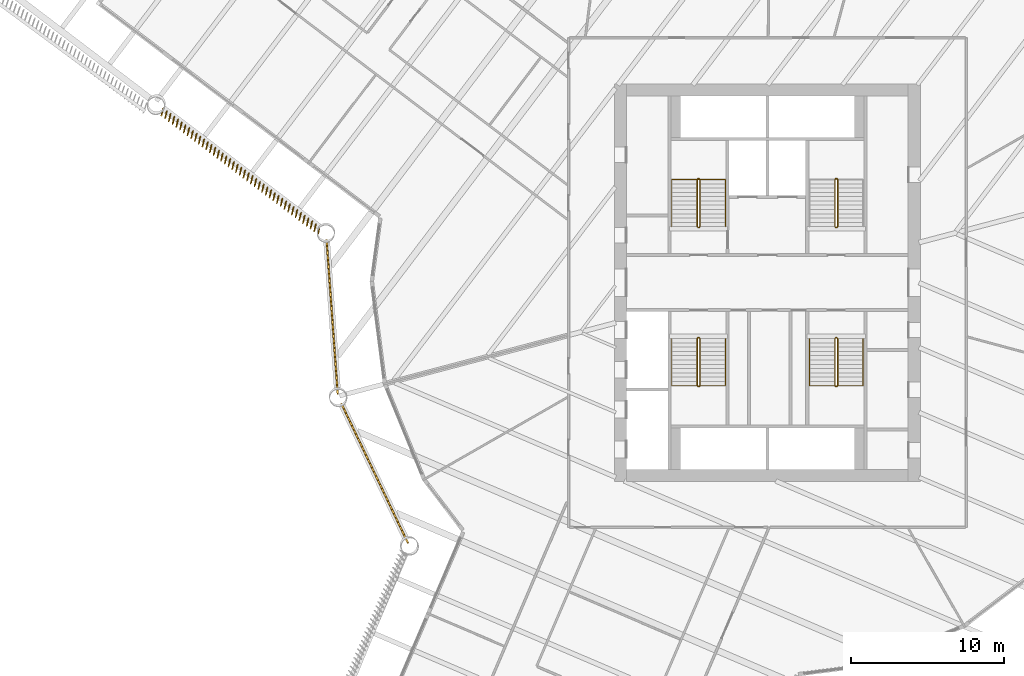
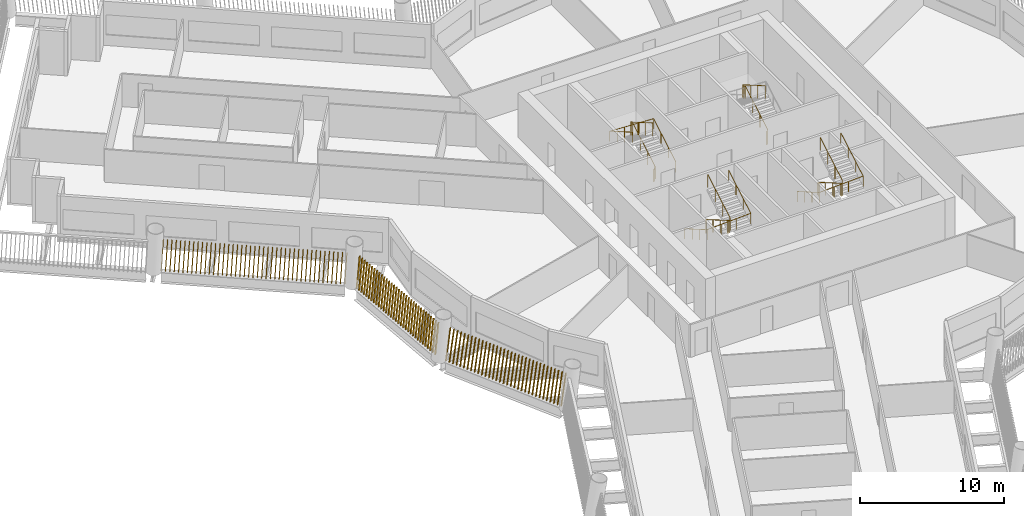
# One storey, part 12 of 16: 7 railings, 3 shading devices.
"""IFC4 building model written with IfcOpenShell, lengths in metres."""

from ifc_helpers import new_model, si_unit, direction, frame, frame_2d, origin, origin_2d, place, context, subcontext, project, spatial, rectangle, circle, composite_profile, extrude, material, type_object, element, save


model = new_model("IFC4")

# Units and contexts
model_context = context("Model", 3, precision=1e-05, world=origin(), true_north=direction((0.0, 1.0)))
body_context = subcontext(model_context, "Body", "Model", "MODEL_VIEW")
ifc_project = project(units=[si_unit("LENGTHUNIT", "METRE"), si_unit("AREAUNIT", "SQUARE_METRE"), si_unit("VOLUMEUNIT", "CUBIC_METRE"), si_unit("PLANEANGLEUNIT", "RADIAN"), si_unit("MASSUNIT", "GRAM", prefix="KILO")], contexts=[model_context])

# Site, building, storey
site_placement = place(None, origin())
site = spatial("IfcSite", under=ifc_project, at=site_placement, CompositionType="ELEMENT")
building_placement = place(site_placement, origin())
building = spatial("IfcBuilding", under=site, at=building_placement, Name="Tarsis Ring Headquarters", CompositionType="ELEMENT")
storey_placement = place(building_placement, frame((0.0, 0.0, 120.10009765625)))
storey = spatial("IfcBuildingStorey", under=building, at=storey_placement, Name="L27", CompositionType="ELEMENT", Elevation=120.10009765625)

# Railings
ifc_material_1 = material(Name="Steel S355", Category="steel")
railing_type_1 = type_object("IfcRailingType", Name="Core stair guard 1100", PredefinedType="GUARDRAIL", material=ifc_material_1)
railing_1_placement = place(storey_placement, frame((-4.5400390625, 3.610107421875, 0.0)))
element("IfcRailing", 1, at=railing_1_placement, inside=storey, type_object=railing_type_1, Name="L27 ST1 stair guard 1", PredefinedType="GUARDRAIL", context=body_context, shape_type="SweptSolid", body=[
    extrude(circle(Radius=0.02392578125, at=origin_2d()), frame((0.0, 0.0, 1.076171875), z_axis=(1.0, 0.0, 0.0), x_axis=(0.0, 1.0, 0.0)), (0.0, 0.0, 1.0), 0.080078125),
    extrude(circle(Radius=0.02392578125, at=origin_2d()), frame((0.080078125, 0.0, 1.076171875), z_axis=(0.282693820306, 0.281314826061, 0.917031173188), x_axis=(-0.705375805398, 0.708833529934, 0.0)), (0.0, 0.0, 1.0), 0.177001953125),
    extrude(circle(Radius=0.02392578125, at=origin_2d()), frame((0.130126953125, 0.0498046875, 1.23828125), z_axis=(0.0, 0.864890721111, 0.501960198159), x_axis=(-1.0, 0.0, 0.0)), (0.0, 0.0, 1.0), 3.561279296875),
    extrude(circle(Radius=0.02392578125, at=origin_2d()), frame((0.130126953125, 3.1298828125, 3.02587890625), z_axis=(-0.707106781187, 0.707106781187, 0.0), x_axis=(-0.707106781187, -0.707106781187, 0.0)), (0.0, 0.0, 1.0), 0.07080078125),
    extrude(circle(Radius=0.02392578125, at=origin_2d()), frame((0.080078125, 3.179931640625, 3.02587890625), z_axis=(-1.0, 0.0, 0.0), x_axis=(0.0, -1.0, 0.0)), (0.0, 0.0, 1.0), 0.080078125),
    extrude(circle(Radius=0.02392578125, at=origin_2d()), frame((0.0, 3.179931640625, 3.02587890625), z_axis=(-0.282583949758, -0.282583949758, 0.916674763849), x_axis=(0.707106781187, -0.707106781187, 0.0)), (0.0, 0.0, 1.0), 0.177001953125),
    extrude(circle(Radius=0.02392578125, at=origin_2d()), frame((-0.050048828125, 3.1298828125, 3.1884765625), z_axis=(0.0, -0.864890721111, 0.501960198159), x_axis=(1.0, 0.0, 0.0)), (0.0, 0.0, 1.0), 3.561279296875),
    extrude(circle(Radius=0.02099609375, at=origin_2d()), origin(), (0.0, 0.0, 1.0), 1.052001953125),
    extrude(circle(Radius=0.02099609375, at=origin_2d()), frame((0.080078125, 0.0, 0.0)), (0.0, 0.0, 1.0), 1.052001953125),
    extrude(circle(Radius=0.02099609375, at=origin_2d()), frame((0.130126953125, 0.0498046875, 0.162353515625)), (0.0, 0.0, 1.0), 1.052001953125),
    extrude(circle(Radius=0.02099609375, at=origin_2d()), frame((0.130126953125, 1.076416015625, 0.75830078125)), (0.0, 0.0, 1.0), 1.052001953125),
    extrude(circle(Radius=0.02099609375, at=origin_2d()), frame((0.130126953125, 2.103271484375, 1.35400390625)), (0.0, 0.0, 1.0), 1.052001953125),
    extrude(circle(Radius=0.02099609375, at=origin_2d()), frame((0.130126953125, 3.1298828125, 1.949951171875)), (0.0, 0.0, 1.0), 1.052001953125),
    extrude(circle(Radius=0.02099609375, at=origin_2d()), frame((0.080078125, 3.179931640625, 1.949951171875)), (0.0, 0.0, 1.0), 1.052001953125),
    extrude(circle(Radius=0.02099609375, at=origin_2d()), frame((0.0, 3.179931640625, 1.949951171875)), (0.0, 0.0, 1.0), 1.052001953125),
    extrude(circle(Radius=0.02099609375, at=origin_2d()), frame((-0.050048828125, 3.1298828125, 2.1123046875)), (0.0, 0.0, 1.0), 1.052001953125),
    extrude(circle(Radius=0.02099609375, at=origin_2d()), frame((-0.050048828125, 2.103271484375, 2.708251953125)), (0.0, 0.0, 1.0), 1.052001953125),
    extrude(circle(Radius=0.02099609375, at=origin_2d()), frame((-0.050048828125, 1.076416015625, 3.303955078125)), (0.0, 0.0, 1.0), 1.052001953125),
    extrude(circle(Radius=0.02099609375, at=origin_2d()), frame((-0.050048828125, 0.0498046875, 3.89990234375)), (0.0, 0.0, 1.0), 1.052001953125),
])
railing_2_placement = place(storey_placement, frame((4.4599609375, 3.610107421875, 0.0)))
element("IfcRailing", 2, at=railing_2_placement, inside=storey, type_object=railing_type_1, Name="L27 ST2 stair guard 1", PredefinedType="GUARDRAIL", context=body_context, shape_type="SweptSolid", body=[
    extrude(circle(Radius=0.02392578125, at=origin_2d()), frame((0.0, 0.0, 1.076171875), z_axis=(1.0, 0.0, 0.0), x_axis=(0.0, 1.0, 0.0)), (0.0, 0.0, 1.0), 0.080078125),
    extrude(circle(Radius=0.02392578125, at=origin_2d()), frame((0.080078125, 0.0, 1.076171875), z_axis=(0.282693820306, 0.281314826061, 0.917031173188), x_axis=(-0.705375805398, 0.708833529934, 0.0)), (0.0, 0.0, 1.0), 0.177001953125),
    extrude(circle(Radius=0.02392578125, at=origin_2d()), frame((0.130126953125, 0.0498046875, 1.23828125), z_axis=(0.0, 0.864890721111, 0.501960198159), x_axis=(-1.0, 0.0, 0.0)), (0.0, 0.0, 1.0), 3.561279296875),
    extrude(circle(Radius=0.02392578125, at=origin_2d()), frame((0.130126953125, 3.1298828125, 3.02587890625), z_axis=(-0.707106781187, 0.707106781187, 0.0), x_axis=(-0.707106781187, -0.707106781187, 0.0)), (0.0, 0.0, 1.0), 0.07080078125),
    extrude(circle(Radius=0.02392578125, at=origin_2d()), frame((0.080078125, 3.179931640625, 3.02587890625), z_axis=(-1.0, 0.0, 0.0), x_axis=(0.0, -1.0, 0.0)), (0.0, 0.0, 1.0), 0.080078125),
    extrude(circle(Radius=0.02392578125, at=origin_2d()), frame((0.0, 3.179931640625, 3.02587890625), z_axis=(-0.282583949758, -0.282583949758, 0.916674763849), x_axis=(0.707106781187, -0.707106781187, 0.0)), (0.0, 0.0, 1.0), 0.177001953125),
    extrude(circle(Radius=0.02392578125, at=origin_2d()), frame((-0.050048828125, 3.1298828125, 3.1884765625), z_axis=(0.0, -0.864890721111, 0.501960198159), x_axis=(1.0, 0.0, 0.0)), (0.0, 0.0, 1.0), 3.561279296875),
    extrude(circle(Radius=0.02099609375, at=origin_2d()), origin(), (0.0, 0.0, 1.0), 1.052001953125),
    extrude(circle(Radius=0.02099609375, at=origin_2d()), frame((0.080078125, 0.0, 0.0)), (0.0, 0.0, 1.0), 1.052001953125),
    extrude(circle(Radius=0.02099609375, at=origin_2d()), frame((0.130126953125, 0.0498046875, 0.162353515625)), (0.0, 0.0, 1.0), 1.052001953125),
    extrude(circle(Radius=0.02099609375, at=origin_2d()), frame((0.130126953125, 1.076416015625, 0.75830078125)), (0.0, 0.0, 1.0), 1.052001953125),
    extrude(circle(Radius=0.02099609375, at=origin_2d()), frame((0.130126953125, 2.103271484375, 1.35400390625)), (0.0, 0.0, 1.0), 1.052001953125),
    extrude(circle(Radius=0.02099609375, at=origin_2d()), frame((0.130126953125, 3.1298828125, 1.949951171875)), (0.0, 0.0, 1.0), 1.052001953125),
    extrude(circle(Radius=0.02099609375, at=origin_2d()), frame((0.080078125, 3.179931640625, 1.949951171875)), (0.0, 0.0, 1.0), 1.052001953125),
    extrude(circle(Radius=0.02099609375, at=origin_2d()), frame((0.0, 3.179931640625, 1.949951171875)), (0.0, 0.0, 1.0), 1.052001953125),
    extrude(circle(Radius=0.02099609375, at=origin_2d()), frame((-0.050048828125, 3.1298828125, 2.1123046875)), (0.0, 0.0, 1.0), 1.052001953125),
    extrude(circle(Radius=0.02099609375, at=origin_2d()), frame((-0.050048828125, 2.103271484375, 2.708251953125)), (0.0, 0.0, 1.0), 1.052001953125),
    extrude(circle(Radius=0.02099609375, at=origin_2d()), frame((-0.050048828125, 1.076416015625, 3.303955078125)), (0.0, 0.0, 1.0), 1.052001953125),
    extrude(circle(Radius=0.02099609375, at=origin_2d()), frame((-0.050048828125, 0.0498046875, 3.89990234375)), (0.0, 0.0, 1.0), 1.052001953125),
])
railing_3_placement = place(storey_placement, frame((-4.4599609375, -3.610107421875, 0.0)))
element("IfcRailing", 3, at=railing_3_placement, inside=storey, type_object=railing_type_1, Name="L27 ST3 stair guard 1", PredefinedType="GUARDRAIL", context=body_context, shape_type="SweptSolid", body=[
    extrude(circle(Radius=0.02392578125, at=origin_2d()), frame((0.0, 0.0, 1.076171875), z_axis=(-1.0, 0.0, 0.0), x_axis=(0.0, -1.0, 0.0)), (0.0, 0.0, 1.0), 0.080078125),
    extrude(circle(Radius=0.02392578125, at=origin_2d()), frame((-0.080078125, 0.0, 1.076171875), z_axis=(-0.282693820306, -0.281314826061, 0.917031173188), x_axis=(0.705375805398, -0.708833529934, 0.0)), (0.0, 0.0, 1.0), 0.177001953125),
    extrude(circle(Radius=0.02392578125, at=origin_2d()), frame((-0.130126953125, -0.0498046875, 1.23828125), z_axis=(0.0, -0.864890721111, 0.501960198159), x_axis=(1.0, 0.0, 0.0)), (0.0, 0.0, 1.0), 3.561279296875),
    extrude(circle(Radius=0.02392578125, at=origin_2d()), frame((-0.130126953125, -3.1298828125, 3.02587890625), z_axis=(0.707106781187, -0.707106781187, 0.0), x_axis=(0.707106781187, 0.707106781187, 0.0)), (0.0, 0.0, 1.0), 0.07080078125),
    extrude(circle(Radius=0.02392578125, at=origin_2d()), frame((-0.080078125, -3.179931640625, 3.02587890625), z_axis=(1.0, 0.0, 0.0), x_axis=(0.0, 1.0, 0.0)), (0.0, 0.0, 1.0), 0.080078125),
    extrude(circle(Radius=0.02392578125, at=origin_2d()), frame((0.0, -3.179931640625, 3.02587890625), z_axis=(0.282583949758, 0.282583949758, 0.916674763849), x_axis=(-0.707106781187, 0.707106781187, 0.0)), (0.0, 0.0, 1.0), 0.177001953125),
    extrude(circle(Radius=0.02392578125, at=origin_2d()), frame((0.050048828125, -3.1298828125, 3.1884765625), z_axis=(0.0, 0.864890721111, 0.501960198159), x_axis=(-1.0, 0.0, 0.0)), (0.0, 0.0, 1.0), 3.561279296875),
    extrude(circle(Radius=0.02099609375, at=origin_2d()), origin(), (0.0, 0.0, 1.0), 1.052001953125),
    extrude(circle(Radius=0.02099609375, at=origin_2d()), frame((-0.080078125, 0.0, 0.0)), (0.0, 0.0, 1.0), 1.052001953125),
    extrude(circle(Radius=0.02099609375, at=origin_2d()), frame((-0.130126953125, -0.0498046875, 0.162353515625)), (0.0, 0.0, 1.0), 1.052001953125),
    extrude(circle(Radius=0.02099609375, at=origin_2d()), frame((-0.130126953125, -1.076416015625, 0.75830078125)), (0.0, 0.0, 1.0), 1.052001953125),
    extrude(circle(Radius=0.02099609375, at=origin_2d()), frame((-0.130126953125, -2.103271484375, 1.35400390625)), (0.0, 0.0, 1.0), 1.052001953125),
    extrude(circle(Radius=0.02099609375, at=origin_2d()), frame((-0.130126953125, -3.1298828125, 1.949951171875)), (0.0, 0.0, 1.0), 1.052001953125),
    extrude(circle(Radius=0.02099609375, at=origin_2d()), frame((-0.080078125, -3.179931640625, 1.949951171875)), (0.0, 0.0, 1.0), 1.052001953125),
    extrude(circle(Radius=0.02099609375, at=origin_2d()), frame((0.0, -3.179931640625, 1.949951171875)), (0.0, 0.0, 1.0), 1.052001953125),
    extrude(circle(Radius=0.02099609375, at=origin_2d()), frame((0.050048828125, -3.1298828125, 2.1123046875)), (0.0, 0.0, 1.0), 1.052001953125),
    extrude(circle(Radius=0.02099609375, at=origin_2d()), frame((0.050048828125, -2.103271484375, 2.708251953125)), (0.0, 0.0, 1.0), 1.052001953125),
    extrude(circle(Radius=0.02099609375, at=origin_2d()), frame((0.050048828125, -1.076416015625, 3.303955078125)), (0.0, 0.0, 1.0), 1.052001953125),
    extrude(circle(Radius=0.02099609375, at=origin_2d()), frame((0.050048828125, -0.0498046875, 3.89990234375)), (0.0, 0.0, 1.0), 1.052001953125),
])
railing_4_placement = place(storey_placement, frame((4.5400390625, -3.610107421875, 0.0)))
element("IfcRailing", 4, at=railing_4_placement, inside=storey, type_object=railing_type_1, Name="L27 ST4 stair guard 1", PredefinedType="GUARDRAIL", context=body_context, shape_type="SweptSolid", body=[
    extrude(circle(Radius=0.02392578125, at=origin_2d()), frame((0.0, 0.0, 1.076171875), z_axis=(-1.0, 0.0, 0.0), x_axis=(0.0, -1.0, 0.0)), (0.0, 0.0, 1.0), 0.080078125),
    extrude(circle(Radius=0.02392578125, at=origin_2d()), frame((-0.080078125, 0.0, 1.076171875), z_axis=(-0.282693820306, -0.281314826061, 0.917031173188), x_axis=(0.705375805398, -0.708833529934, 0.0)), (0.0, 0.0, 1.0), 0.177001953125),
    extrude(circle(Radius=0.02392578125, at=origin_2d()), frame((-0.130126953125, -0.0498046875, 1.23828125), z_axis=(0.0, -0.864890721111, 0.501960198159), x_axis=(1.0, 0.0, 0.0)), (0.0, 0.0, 1.0), 3.561279296875),
    extrude(circle(Radius=0.02392578125, at=origin_2d()), frame((-0.130126953125, -3.1298828125, 3.02587890625), z_axis=(0.707106781187, -0.707106781187, 0.0), x_axis=(0.707106781187, 0.707106781187, 0.0)), (0.0, 0.0, 1.0), 0.07080078125),
    extrude(circle(Radius=0.02392578125, at=origin_2d()), frame((-0.080078125, -3.179931640625, 3.02587890625), z_axis=(1.0, 0.0, 0.0), x_axis=(0.0, 1.0, 0.0)), (0.0, 0.0, 1.0), 0.080078125),
    extrude(circle(Radius=0.02392578125, at=origin_2d()), frame((0.0, -3.179931640625, 3.02587890625), z_axis=(0.282583949758, 0.282583949758, 0.916674763849), x_axis=(-0.707106781187, 0.707106781187, 0.0)), (0.0, 0.0, 1.0), 0.177001953125),
    extrude(circle(Radius=0.02392578125, at=origin_2d()), frame((0.050048828125, -3.1298828125, 3.1884765625), z_axis=(0.0, 0.864890721111, 0.501960198159), x_axis=(-1.0, 0.0, 0.0)), (0.0, 0.0, 1.0), 3.561279296875),
    extrude(circle(Radius=0.02099609375, at=origin_2d()), origin(), (0.0, 0.0, 1.0), 1.052001953125),
    extrude(circle(Radius=0.02099609375, at=origin_2d()), frame((-0.080078125, 0.0, 0.0)), (0.0, 0.0, 1.0), 1.052001953125),
    extrude(circle(Radius=0.02099609375, at=origin_2d()), frame((-0.130126953125, -0.0498046875, 0.162353515625)), (0.0, 0.0, 1.0), 1.052001953125),
    extrude(circle(Radius=0.02099609375, at=origin_2d()), frame((-0.130126953125, -1.076416015625, 0.75830078125)), (0.0, 0.0, 1.0), 1.052001953125),
    extrude(circle(Radius=0.02099609375, at=origin_2d()), frame((-0.130126953125, -2.103271484375, 1.35400390625)), (0.0, 0.0, 1.0), 1.052001953125),
    extrude(circle(Radius=0.02099609375, at=origin_2d()), frame((-0.130126953125, -3.1298828125, 1.949951171875)), (0.0, 0.0, 1.0), 1.052001953125),
    extrude(circle(Radius=0.02099609375, at=origin_2d()), frame((-0.080078125, -3.179931640625, 1.949951171875)), (0.0, 0.0, 1.0), 1.052001953125),
    extrude(circle(Radius=0.02099609375, at=origin_2d()), frame((0.0, -3.179931640625, 1.949951171875)), (0.0, 0.0, 1.0), 1.052001953125),
    extrude(circle(Radius=0.02099609375, at=origin_2d()), frame((0.050048828125, -3.1298828125, 2.1123046875)), (0.0, 0.0, 1.0), 1.052001953125),
    extrude(circle(Radius=0.02099609375, at=origin_2d()), frame((0.050048828125, -2.103271484375, 2.708251953125)), (0.0, 0.0, 1.0), 1.052001953125),
    extrude(circle(Radius=0.02099609375, at=origin_2d()), frame((0.050048828125, -1.076416015625, 3.303955078125)), (0.0, 0.0, 1.0), 1.052001953125),
    extrude(circle(Radius=0.02099609375, at=origin_2d()), frame((0.050048828125, -0.0498046875, 3.89990234375)), (0.0, 0.0, 1.0), 1.052001953125),
])
railing_type_2 = type_object("IfcRailingType", Name="Core stair handrail 900", PredefinedType="HANDRAIL", material=ifc_material_1)
railing_5_placement = place(storey_placement, frame((-2.75, 3.659912109375, 0.162353515625)))
element("IfcRailing", 5, at=railing_5_placement, inside=storey, type_object=railing_type_2, Name="L27 ST1 stair handrail 1", PredefinedType="HANDRAIL", context=body_context, shape_type="SweptSolid", body=[
    extrude(circle(Radius=0.02392578125, at=origin_2d()), frame((0.0, 0.0, 0.8759765625), z_axis=(0.0, 0.864890721111, 0.501960198159), x_axis=(-1.0, 0.0, 0.0)), (0.0, 0.0, 1.0), 3.561279296875),
    extrude(circle(Radius=0.02392578125, at=origin_2d()), frame((0.0, 3.080078125, 2.66357421875), z_axis=(-0.998925869279, 0.0, 0.04633689335), x_axis=(0.0, -1.0, 0.0)), (0.0, 0.0, 1.0), 3.503662109375),
    extrude(circle(Radius=0.02392578125, at=origin_2d()), frame((-3.5, 3.080078125, 2.82568359375), z_axis=(0.0, -0.864890721111, 0.501960198159), x_axis=(1.0, 0.0, 0.0)), (0.0, 0.0, 1.0), 3.561279296875),
    extrude(circle(Radius=0.02099609375, at=origin_2d()), origin(), (0.0, 0.0, 1.0), 0.851806640625),
    extrude(circle(Radius=0.02099609375, at=origin_2d()), frame((0.0, 1.026611328125, 0.595947265625)), (0.0, 0.0, 1.0), 0.851806640625),
    extrude(circle(Radius=0.02099609375, at=origin_2d()), frame((0.0, 2.053466796875, 1.191650390625)), (0.0, 0.0, 1.0), 0.851806640625),
    extrude(circle(Radius=0.02099609375, at=origin_2d()), frame((0.0, 3.080078125, 1.78759765625)), (0.0, 0.0, 1.0), 0.851806640625),
    extrude(circle(Radius=0.02099609375, at=origin_2d()), frame((-1.166748046875, 3.080078125, 1.841796875)), (0.0, 0.0, 1.0), 0.851806640625),
    extrude(circle(Radius=0.02099609375, at=origin_2d()), frame((-2.333251953125, 3.080078125, 1.895751953125)), (0.0, 0.0, 1.0), 0.851806640625),
    extrude(circle(Radius=0.02099609375, at=origin_2d()), frame((-3.5, 3.080078125, 1.949951171875)), (0.0, 0.0, 1.0), 0.851806640625),
    extrude(circle(Radius=0.02099609375, at=origin_2d()), frame((-3.5, 2.053466796875, 2.5458984375)), (0.0, 0.0, 1.0), 0.851806640625),
    extrude(circle(Radius=0.02099609375, at=origin_2d()), frame((-3.5, 1.026611328125, 3.1416015625)), (0.0, 0.0, 1.0), 0.851806640625),
    extrude(circle(Radius=0.02099609375, at=origin_2d()), frame((-3.5, 0.0, 3.737548828125)), (0.0, 0.0, 1.0), 0.851806640625),
])
railing_6_placement = place(storey_placement, frame((-6.25, -3.659912109375, 0.162353515625)))
element("IfcRailing", 6, at=railing_6_placement, inside=storey, type_object=railing_type_2, Name="L27 ST3 stair handrail 1", PredefinedType="HANDRAIL", context=body_context, shape_type="SweptSolid", body=[
    extrude(circle(Radius=0.02392578125, at=origin_2d()), frame((0.0, 0.0, 0.8759765625), z_axis=(0.0, -0.864890721111, 0.501960198159), x_axis=(1.0, 0.0, 0.0)), (0.0, 0.0, 1.0), 3.561279296875),
    extrude(circle(Radius=0.02392578125, at=origin_2d()), frame((0.0, -3.080078125, 2.66357421875), z_axis=(0.998925869279, 0.0, 0.04633689335), x_axis=(0.0, 1.0, 0.0)), (0.0, 0.0, 1.0), 3.503662109375),
    extrude(circle(Radius=0.02392578125, at=origin_2d()), frame((3.5, -3.080078125, 2.82568359375), z_axis=(0.0, 0.864890721111, 0.501960198159), x_axis=(-1.0, 0.0, 0.0)), (0.0, 0.0, 1.0), 3.561279296875),
    extrude(circle(Radius=0.02099609375, at=origin_2d()), origin(), (0.0, 0.0, 1.0), 0.851806640625),
    extrude(circle(Radius=0.02099609375, at=origin_2d()), frame((0.0, -1.026611328125, 0.595947265625)), (0.0, 0.0, 1.0), 0.851806640625),
    extrude(circle(Radius=0.02099609375, at=origin_2d()), frame((0.0, -2.053466796875, 1.191650390625)), (0.0, 0.0, 1.0), 0.851806640625),
    extrude(circle(Radius=0.02099609375, at=origin_2d()), frame((0.0, -3.080078125, 1.78759765625)), (0.0, 0.0, 1.0), 0.851806640625),
    extrude(circle(Radius=0.02099609375, at=origin_2d()), frame((1.166748046875, -3.080078125, 1.841796875)), (0.0, 0.0, 1.0), 0.851806640625),
    extrude(circle(Radius=0.02099609375, at=origin_2d()), frame((2.333251953125, -3.080078125, 1.895751953125)), (0.0, 0.0, 1.0), 0.851806640625),
    extrude(circle(Radius=0.02099609375, at=origin_2d()), frame((3.5, -3.080078125, 1.949951171875)), (0.0, 0.0, 1.0), 0.851806640625),
    extrude(circle(Radius=0.02099609375, at=origin_2d()), frame((3.5, -2.053466796875, 2.5458984375)), (0.0, 0.0, 1.0), 0.851806640625),
    extrude(circle(Radius=0.02099609375, at=origin_2d()), frame((3.5, -1.026611328125, 3.1416015625)), (0.0, 0.0, 1.0), 0.851806640625),
    extrude(circle(Radius=0.02099609375, at=origin_2d()), frame((3.5, 0.0, 3.737548828125)), (0.0, 0.0, 1.0), 0.851806640625),
])
railing_7_placement = place(storey_placement, frame((2.75, -3.659912109375, 0.162353515625)))
element("IfcRailing", 7, at=railing_7_placement, inside=storey, type_object=railing_type_2, Name="L27 ST4 stair handrail 1", PredefinedType="HANDRAIL", context=body_context, shape_type="SweptSolid", body=[
    extrude(circle(Radius=0.02392578125, at=origin_2d()), frame((0.0, 0.0, 0.8759765625), z_axis=(0.0, -0.864890721111, 0.501960198159), x_axis=(1.0, 0.0, 0.0)), (0.0, 0.0, 1.0), 3.561279296875),
    extrude(circle(Radius=0.02392578125, at=origin_2d()), frame((0.0, -3.080078125, 2.66357421875), z_axis=(0.998925869279, 0.0, 0.04633689335), x_axis=(0.0, 1.0, 0.0)), (0.0, 0.0, 1.0), 3.503662109375),
    extrude(circle(Radius=0.02392578125, at=origin_2d()), frame((3.5, -3.080078125, 2.82568359375), z_axis=(0.0, 0.864890721111, 0.501960198159), x_axis=(-1.0, 0.0, 0.0)), (0.0, 0.0, 1.0), 3.561279296875),
    extrude(circle(Radius=0.02099609375, at=origin_2d()), origin(), (0.0, 0.0, 1.0), 0.851806640625),
    extrude(circle(Radius=0.02099609375, at=origin_2d()), frame((0.0, -1.026611328125, 0.595947265625)), (0.0, 0.0, 1.0), 0.851806640625),
    extrude(circle(Radius=0.02099609375, at=origin_2d()), frame((0.0, -2.053466796875, 1.191650390625)), (0.0, 0.0, 1.0), 0.851806640625),
    extrude(circle(Radius=0.02099609375, at=origin_2d()), frame((0.0, -3.080078125, 1.78759765625)), (0.0, 0.0, 1.0), 0.851806640625),
    extrude(circle(Radius=0.02099609375, at=origin_2d()), frame((1.166748046875, -3.080078125, 1.841796875)), (0.0, 0.0, 1.0), 0.851806640625),
    extrude(circle(Radius=0.02099609375, at=origin_2d()), frame((2.333251953125, -3.080078125, 1.895751953125)), (0.0, 0.0, 1.0), 0.851806640625),
    extrude(circle(Radius=0.02099609375, at=origin_2d()), frame((3.5, -3.080078125, 1.949951171875)), (0.0, 0.0, 1.0), 0.851806640625),
    extrude(circle(Radius=0.02099609375, at=origin_2d()), frame((3.5, -2.053466796875, 2.5458984375)), (0.0, 0.0, 1.0), 0.851806640625),
    extrude(circle(Radius=0.02099609375, at=origin_2d()), frame((3.5, -1.026611328125, 3.1416015625)), (0.0, 0.0, 1.0), 0.851806640625),
    extrude(circle(Radius=0.02099609375, at=origin_2d()), frame((3.5, 0.0, 3.737548828125)), (0.0, 0.0, 1.0), 0.851806640625),
])

# Shading devices
ifc_material_2 = material(Name="Terracotta baguette", Category="masonry")
shading_device_type = type_object("IfcShadingDeviceType", Name="Terracotta baguette screen", PredefinedType="USERDEFINED", material=ifc_material_2)
shading_device_1_placement = place(storey_placement, frame((-27.866943359375, -7.88134765625, 0.0), z_axis=(0.0, 0.0, 1.0), x_axis=(0.430595113176, -0.902538350072, 0.0)))
element("IfcShadingDevice", 8, at=shading_device_1_placement, inside=storey, type_object=shading_device_type, Name="Baguette screen L27-00", ObjectType="Terracotta baguette screen", PredefinedType="USERDEFINED", context=body_context, shape_type="SweptSolid", body=[
    extrude(composite_profile([rectangle(XDim=0.06005859375, YDim=0.1201171875, at=frame_2d((0.030029296875, 0.0))), rectangle(XDim=0.06005859375, YDim=0.1201171875, at=frame_2d((0.33349609375, 0.0))), rectangle(XDim=0.06005859375, YDim=0.1201171875, at=frame_2d((0.636962890625, 0.0))), rectangle(XDim=0.06005859375, YDim=0.1201171875, at=frame_2d((0.9404296875, 0.0))), rectangle(XDim=0.06005859375, YDim=0.1201171875, at=frame_2d((1.243896484375, 0.0))), rectangle(XDim=0.06005859375, YDim=0.1201171875, at=frame_2d((1.54736328125, 0.0))), rectangle(XDim=0.06005859375, YDim=0.1201171875, at=frame_2d((1.85107421875, 0.0))), rectangle(XDim=0.06005859375, YDim=0.1201171875, at=frame_2d((2.154541015625, 0.0))), rectangle(XDim=0.06005859375, YDim=0.1201171875, at=frame_2d((2.4580078125, 0.0))), rectangle(XDim=0.06005859375, YDim=0.1201171875, at=frame_2d((2.761474609375, 0.0))), rectangle(XDim=0.06005859375, YDim=0.1201171875, at=frame_2d((3.06494140625, 0.0))), rectangle(XDim=0.06005859375, YDim=0.1201171875, at=frame_2d((3.368408203125, 0.0))), rectangle(XDim=0.06005859375, YDim=0.1201171875, at=frame_2d((3.671875, 0.0))), rectangle(XDim=0.06005859375, YDim=0.1201171875, at=frame_2d((3.975341796875, 0.0))), rectangle(XDim=0.06005859375, YDim=0.1201171875, at=frame_2d((4.27880859375, 0.0))), rectangle(XDim=0.06005859375, YDim=0.1201171875, at=frame_2d((4.582275390625, 0.0))), rectangle(XDim=0.06005859375, YDim=0.1201171875, at=frame_2d((4.8857421875, 0.0))), rectangle(XDim=0.06005859375, YDim=0.1201171875, at=frame_2d((5.189453125, 0.0))), rectangle(XDim=0.06005859375, YDim=0.1201171875, at=frame_2d((5.492919921875, 0.0))), rectangle(XDim=0.06005859375, YDim=0.1201171875, at=frame_2d((5.79638671875, 0.0))), rectangle(XDim=0.06005859375, YDim=0.1201171875, at=frame_2d((6.099853515625, 0.0))), rectangle(XDim=0.06005859375, YDim=0.1201171875, at=frame_2d((6.4033203125, 0.0))), rectangle(XDim=0.06005859375, YDim=0.1201171875, at=frame_2d((6.706787109375, 0.0))), rectangle(XDim=0.06005859375, YDim=0.1201171875, at=frame_2d((7.01025390625, 0.0))), rectangle(XDim=0.06005859375, YDim=0.1201171875, at=frame_2d((7.313720703125, 0.0))), rectangle(XDim=0.06005859375, YDim=0.1201171875, at=frame_2d((7.6171875, 0.0))), rectangle(XDim=0.06005859375, YDim=0.1201171875, at=frame_2d((7.920654296875, 0.0))), rectangle(XDim=0.06005859375, YDim=0.1201171875, at=frame_2d((8.224365234375, 0.0))), rectangle(XDim=0.06005859375, YDim=0.1201171875, at=frame_2d((8.52783203125, 0.0))), rectangle(XDim=0.06005859375, YDim=0.1201171875, at=frame_2d((8.831298828125, 0.0))), rectangle(XDim=0.06005859375, YDim=0.1201171875, at=frame_2d((9.134765625, 0.0))), rectangle(XDim=0.06005859375, YDim=0.1201171875, at=frame_2d((9.438232421875, 0.0))), rectangle(XDim=0.06005859375, YDim=0.1201171875, at=frame_2d((9.74169921875, 0.0)))]), origin(), (0.130490708158, 0.000887461695, 0.991449135103), 2.977783203125),
])
shading_device_2_placement = place(storey_placement, frame((-39.537109375, 11.412841796875, 0.0), z_axis=(0.0, 0.0, 1.0), x_axis=(0.796737814108, -0.604318044202, 0.0)))
element("IfcShadingDevice", 9, at=shading_device_2_placement, inside=storey, type_object=shading_device_type, Name="Baguette screen L27-20", ObjectType="Terracotta baguette screen", PredefinedType="USERDEFINED", context=body_context, shape_type="SweptSolid", body=[
    extrude(composite_profile([rectangle(XDim=0.06005859375, YDim=0.1201171875, at=frame_2d((0.030029296875, 0.0))), rectangle(XDim=0.06005859375, YDim=0.1201171875, at=frame_2d((0.335693359375, 0.0))), rectangle(XDim=0.06005859375, YDim=0.1201171875, at=frame_2d((0.6416015625, 0.0))), rectangle(XDim=0.06005859375, YDim=0.1201171875, at=frame_2d((0.947265625, 0.0))), rectangle(XDim=0.06005859375, YDim=0.1201171875, at=frame_2d((1.253173828125, 0.0))), rectangle(XDim=0.06005859375, YDim=0.1201171875, at=frame_2d((1.558837890625, 0.0))), rectangle(XDim=0.06005859375, YDim=0.1201171875, at=frame_2d((1.864501953125, 0.0))), rectangle(XDim=0.06005859375, YDim=0.1201171875, at=frame_2d((2.17041015625, 0.0))), rectangle(XDim=0.06005859375, YDim=0.1201171875, at=frame_2d((2.47607421875, 0.0))), rectangle(XDim=0.06005859375, YDim=0.1201171875, at=frame_2d((2.781982421875, 0.0))), rectangle(XDim=0.06005859375, YDim=0.1201171875, at=frame_2d((3.087646484375, 0.0))), rectangle(XDim=0.06005859375, YDim=0.1201171875, at=frame_2d((3.393310546875, 0.0))), rectangle(XDim=0.06005859375, YDim=0.1201171875, at=frame_2d((3.69921875, 0.0))), rectangle(XDim=0.06005859375, YDim=0.1201171875, at=frame_2d((4.0048828125, 0.0))), rectangle(XDim=0.06005859375, YDim=0.1201171875, at=frame_2d((4.310791015625, 0.0))), rectangle(XDim=0.06005859375, YDim=0.1201171875, at=frame_2d((4.616455078125, 0.0))), rectangle(XDim=0.06005859375, YDim=0.1201171875, at=frame_2d((4.922119140625, 0.0))), rectangle(XDim=0.06005859375, YDim=0.1201171875, at=frame_2d((5.22802734375, 0.0))), rectangle(XDim=0.06005859375, YDim=0.1201171875, at=frame_2d((5.53369140625, 0.0))), rectangle(XDim=0.06005859375, YDim=0.1201171875, at=frame_2d((5.839599609375, 0.0))), rectangle(XDim=0.06005859375, YDim=0.1201171875, at=frame_2d((6.145263671875, 0.0))), rectangle(XDim=0.06005859375, YDim=0.1201171875, at=frame_2d((6.451171875, 0.0))), rectangle(XDim=0.06005859375, YDim=0.1201171875, at=frame_2d((6.7568359375, 0.0))), rectangle(XDim=0.06005859375, YDim=0.1201171875, at=frame_2d((7.0625, 0.0))), rectangle(XDim=0.06005859375, YDim=0.1201171875, at=frame_2d((7.368408203125, 0.0))), rectangle(XDim=0.06005859375, YDim=0.1201171875, at=frame_2d((7.674072265625, 0.0))), rectangle(XDim=0.06005859375, YDim=0.1201171875, at=frame_2d((7.97998046875, 0.0))), rectangle(XDim=0.06005859375, YDim=0.1201171875, at=frame_2d((8.28564453125, 0.0))), rectangle(XDim=0.06005859375, YDim=0.1201171875, at=frame_2d((8.59130859375, 0.0))), rectangle(XDim=0.06005859375, YDim=0.1201171875, at=frame_2d((8.897216796875, 0.0))), rectangle(XDim=0.06005859375, YDim=0.1201171875, at=frame_2d((9.202880859375, 0.0))), rectangle(XDim=0.06005859375, YDim=0.1201171875, at=frame_2d((9.5087890625, 0.0))), rectangle(XDim=0.06005859375, YDim=0.1201171875, at=frame_2d((9.814453125, 0.0))), rectangle(XDim=0.06005859375, YDim=0.1201171875, at=frame_2d((10.1201171875, 0.0))), rectangle(XDim=0.06005859375, YDim=0.1201171875, at=frame_2d((10.426025390625, 0.0))), rectangle(XDim=0.06005859375, YDim=0.1201171875, at=frame_2d((10.731689453125, 0.0))), rectangle(XDim=0.06005859375, YDim=0.1201171875, at=frame_2d((11.03759765625, 0.0))), rectangle(XDim=0.06005859375, YDim=0.1201171875, at=frame_2d((11.34326171875, 0.0))), rectangle(XDim=0.06005859375, YDim=0.1201171875, at=frame_2d((11.64892578125, 0.0))), rectangle(XDim=0.06005859375, YDim=0.1201171875, at=frame_2d((11.954833984375, 0.0))), rectangle(XDim=0.06005859375, YDim=0.1201171875, at=frame_2d((12.260498046875, 0.0))), rectangle(XDim=0.06005859375, YDim=0.1201171875, at=frame_2d((12.56640625, 0.0))), rectangle(XDim=0.06005859375, YDim=0.1201171875, at=frame_2d((12.8720703125, 0.0)))]), origin(), (0.068348480832, -0.144939845294, 0.987076960735), 2.990966796875),
])
shading_device_3_placement = place(storey_placement, frame((-28.82275390625, 2.81494140625, 0.0), z_axis=(0.0, 0.0, 1.0), x_axis=(0.072104934416, -0.997401623985, 0.0)))
element("IfcShadingDevice", 10, at=shading_device_3_placement, inside=storey, type_object=shading_device_type, Name="Baguette screen L27-21", ObjectType="Terracotta baguette screen", PredefinedType="USERDEFINED", context=body_context, shape_type="SweptSolid", body=[
    extrude(composite_profile([rectangle(XDim=0.06005859375, YDim=0.1201171875, at=frame_2d((0.030029296875, 0.0))), rectangle(XDim=0.06005859375, YDim=0.1201171875, at=frame_2d((0.33349609375, 0.0))), rectangle(XDim=0.06005859375, YDim=0.1201171875, at=frame_2d((0.636962890625, 0.0))), rectangle(XDim=0.06005859375, YDim=0.1201171875, at=frame_2d((0.9404296875, 0.0))), rectangle(XDim=0.06005859375, YDim=0.1201171875, at=frame_2d((1.243896484375, 0.0))), rectangle(XDim=0.06005859375, YDim=0.1201171875, at=frame_2d((1.54736328125, 0.0))), rectangle(XDim=0.06005859375, YDim=0.1201171875, at=frame_2d((1.85107421875, 0.0))), rectangle(XDim=0.06005859375, YDim=0.1201171875, at=frame_2d((2.154541015625, 0.0))), rectangle(XDim=0.06005859375, YDim=0.1201171875, at=frame_2d((2.4580078125, 0.0))), rectangle(XDim=0.06005859375, YDim=0.1201171875, at=frame_2d((2.761474609375, 0.0))), rectangle(XDim=0.06005859375, YDim=0.1201171875, at=frame_2d((3.06494140625, 0.0))), rectangle(XDim=0.06005859375, YDim=0.1201171875, at=frame_2d((3.368408203125, 0.0))), rectangle(XDim=0.06005859375, YDim=0.1201171875, at=frame_2d((3.671875, 0.0))), rectangle(XDim=0.06005859375, YDim=0.1201171875, at=frame_2d((3.975341796875, 0.0))), rectangle(XDim=0.06005859375, YDim=0.1201171875, at=frame_2d((4.27880859375, 0.0))), rectangle(XDim=0.06005859375, YDim=0.1201171875, at=frame_2d((4.582275390625, 0.0))), rectangle(XDim=0.06005859375, YDim=0.1201171875, at=frame_2d((4.8857421875, 0.0))), rectangle(XDim=0.06005859375, YDim=0.1201171875, at=frame_2d((5.189453125, 0.0))), rectangle(XDim=0.06005859375, YDim=0.1201171875, at=frame_2d((5.492919921875, 0.0))), rectangle(XDim=0.06005859375, YDim=0.1201171875, at=frame_2d((5.79638671875, 0.0))), rectangle(XDim=0.06005859375, YDim=0.1201171875, at=frame_2d((6.099853515625, 0.0))), rectangle(XDim=0.06005859375, YDim=0.1201171875, at=frame_2d((6.4033203125, 0.0))), rectangle(XDim=0.06005859375, YDim=0.1201171875, at=frame_2d((6.706787109375, 0.0))), rectangle(XDim=0.06005859375, YDim=0.1201171875, at=frame_2d((7.01025390625, 0.0))), rectangle(XDim=0.06005859375, YDim=0.1201171875, at=frame_2d((7.313720703125, 0.0))), rectangle(XDim=0.06005859375, YDim=0.1201171875, at=frame_2d((7.6171875, 0.0))), rectangle(XDim=0.06005859375, YDim=0.1201171875, at=frame_2d((7.920654296875, 0.0))), rectangle(XDim=0.06005859375, YDim=0.1201171875, at=frame_2d((8.224365234375, 0.0))), rectangle(XDim=0.06005859375, YDim=0.1201171875, at=frame_2d((8.52783203125, 0.0))), rectangle(XDim=0.06005859375, YDim=0.1201171875, at=frame_2d((8.831298828125, 0.0))), rectangle(XDim=0.06005859375, YDim=0.1201171875, at=frame_2d((9.134765625, 0.0))), rectangle(XDim=0.06005859375, YDim=0.1201171875, at=frame_2d((9.438232421875, 0.0))), rectangle(XDim=0.06005859375, YDim=0.1201171875, at=frame_2d((9.74169921875, 0.0)))]), origin(), (0.130492197251, 0.000888596632, 0.991448938097), 2.977783203125),
])

save(model, "model.ifc")
